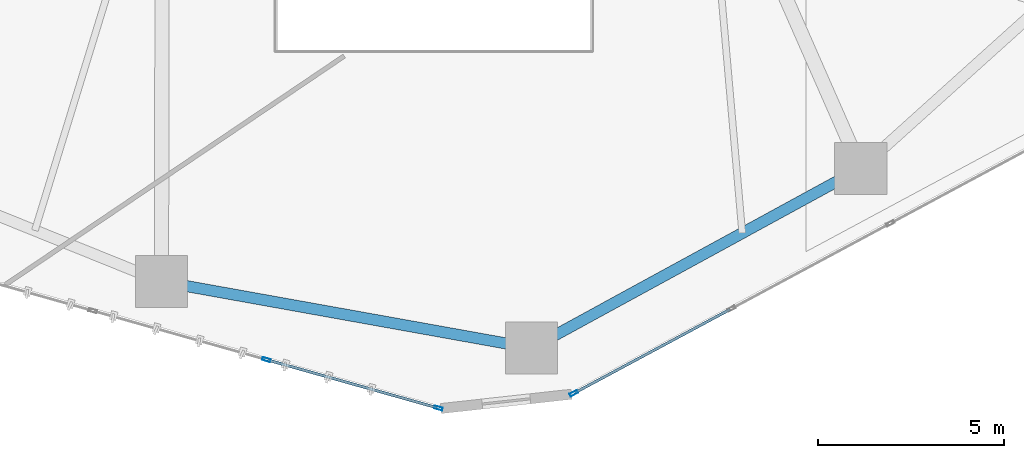
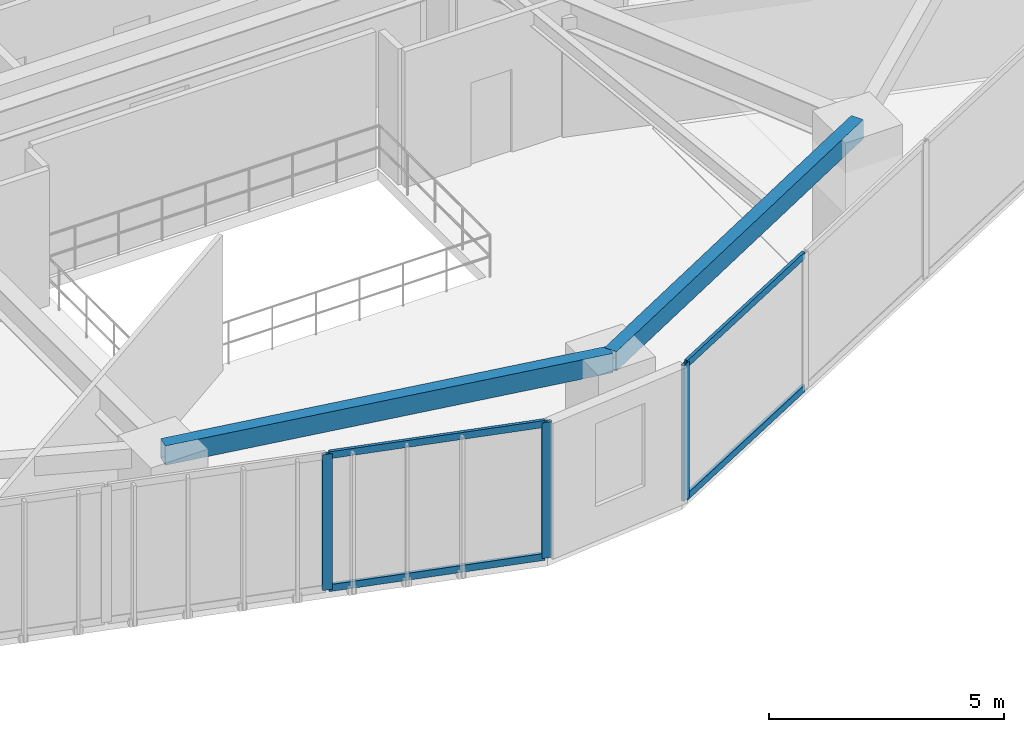
# One storey, part 5 of 24: 7 members, 2 beams, 2 elements without a shape of their own.
"""IFC4 building model written with IfcOpenShell, lengths in metres."""

from ifc_helpers import new_model, si_unit, direction, frame, origin, origin_2d, place, context, subcontext, project, spatial, hollow_rectangle, extrude, source, transform, mapped, material, layer, layer_set, material_profile, profile_set, type_object, type_shapes, element, aggregate, save


model = new_model("IFC4")

# Units and contexts
model_context = context("Model", 3, precision=1e-05, world=origin(), true_north=direction((0.0, 1.0)))
body_context = subcontext(model_context, "Body", "Model", "MODEL_VIEW")
ifc_project = project(units=[si_unit("LENGTHUNIT", "METRE"), si_unit("AREAUNIT", "SQUARE_METRE"), si_unit("VOLUMEUNIT", "CUBIC_METRE"), si_unit("PLANEANGLEUNIT", "RADIAN"), si_unit("MASSUNIT", "GRAM", prefix="KILO")], contexts=[model_context])

# Site, building, storey
site_placement = place(None, origin())
site = spatial("IfcSite", under=ifc_project, at=site_placement, CompositionType="ELEMENT")
building_placement = place(site_placement, origin())
building = spatial("IfcBuilding", under=site, at=building_placement, Name="Talar Marvaseh", CompositionType="ELEMENT")
storey_placement = place(building_placement, frame((0.0, 0.0, 43.0)))
storey = spatial("IfcBuildingStorey", under=building, at=storey_placement, Name="L10", CompositionType="ELEMENT", Elevation=43.0)

# Beams
ifc_material_1 = material(Name="Steel S355", Category="steel")
ifc_material_profile_1 = material_profile(ifc_material_1, hollow_rectangle(XDim=0.300048828125, YDim=0.5, WallThickness=0.02001953125, at=origin_2d()), Name="RHS500x300x20")
ifc_profile_set_1 = profile_set([ifc_material_profile_1], Name="Steel S355")
beam_type = type_object("IfcBeamType", Name="Zone 1 Perimeter Spandrel Beam RHS500x300x20", PredefinedType="SPANDREL", material=ifc_profile_set_1)
beam_1_placement = place(storey_placement, frame((37.468017578125, 16.02099609375, 3.27001953125), z_axis=(-0.877792749602, -0.47904059196, 0.0), x_axis=(0.47904059196, -0.877792749602, 0.0)))
element("IfcBeam", 1, at=beam_1_placement, inside=storey, type_object=beam_type, Name="L10 Zone 1 Perimeter Spandrel Beam RHS500x300x20", PredefinedType="SPANDREL", context=body_context, shape_type="SweptSolid", body=[
    extrude(hollow_rectangle(XDim=0.300048828125, YDim=0.5, WallThickness=0.02001953125, at=origin_2d()), origin(), (0.0, 0.0, 1.0), 10.07421875),
])
beam_2_placement = place(storey_placement, frame((28.625, 11.195068359375, 3.27001953125), z_axis=(-0.984279934962, 0.176615428632, 0.0), x_axis=(-0.176615428632, -0.984279934962, 0.0)))
element("IfcBeam", 2, at=beam_2_placement, inside=storey, type_object=beam_type, Name="L10 Zone 1 Perimeter Spandrel Beam RHS500x300x20", PredefinedType="SPANDREL", context=body_context, shape_type="SweptSolid", body=[
    extrude(hollow_rectangle(XDim=0.300048828125, YDim=0.5, WallThickness=0.02001953125, at=origin_2d()), origin(), (0.0, 0.0, 1.0), 10.1005859375),
])

# Curtain wall, member
ifc_material_2 = material(Name="Architectural Aluminium", Category="aluminium")
ifc_layer = layer(ifc_material_2, 0.219970703125)
ifc_layer_set = layer_set([ifc_layer], Name="Architectural Aluminium")
curtain_wall_type = type_object("IfcCurtainWallType", Name="Unitised Low-E Museum Curtain Wall Z1", PredefinedType="NOTDEFINED", material=ifc_layer_set)
curtain_wall_1_placement = place(storey_placement, origin())
curtain_wall_1 = element("IfcCurtainWall", 3, at=curtain_wall_1_placement, inside=storey, type_object=curtain_wall_type, Name="L10 Unitised Low-E Museum Curtain Wall Z1", PredefinedType="NOTDEFINED")
ifc_material_profile_2 = material_profile(ifc_material_2, hollow_rectangle(XDim=0.080078125, YDim=0.219970703125, WallThickness=0.0048828125, at=origin_2d()), Name="RHS220x80x5")
ifc_profile_set_2 = profile_set([ifc_material_profile_2], Name="Architectural Aluminium")
member_type_1 = type_object("IfcMemberType", Name="Unitised Curtain Wall Heavy Mullion RHS220x80x5", PredefinedType="MULLION", material=ifc_profile_set_2)
shared_shape_1 = source(origin(), body_context, "Body", "SweptSolid", [
    extrude(hollow_rectangle(XDim=0.080078125, YDim=0.219970703125, WallThickness=0.0048828125, at=origin_2d()), origin(), (0.0, 0.0, 1.0), 3.52001953125),
])
type_shapes(member_type_1, [shared_shape_1])
member_1_placement = place(storey_placement, frame((29.75732421875, 9.978271484375, 0.0), z_axis=(0.0, 0.0, 1.0), x_axis=(0.473185134207, -0.880963012144, 0.0)))
member_1 = element("IfcMember", 4, at=member_1_placement, type_object=member_type_1, Name="CW-Z1 mullion 6", PredefinedType="MULLION", context=body_context, shape_type="MappedRepresentation", body=[
    mapped(shared_shape_1, transform((0.0, 0.0, 0.0), x_axis=(1.0, 0.0, 0.0), y_axis=(0.0, 1.0, 0.0), z_axis=(0.0, 0.0, 1.0), scale=1.0)),
])

# Curtain wall, members
curtain_wall_2_placement = place(storey_placement, origin())
curtain_wall_2 = element("IfcCurtainWall", 5, at=curtain_wall_2_placement, inside=storey, type_object=curtain_wall_type, Name="L10 Unitised Low-E Museum Curtain Wall Z1", PredefinedType="NOTDEFINED")
member_2_placement = place(storey_placement, frame((26.1240234375, 9.580322265625, 0.0), z_axis=(0.0, 0.0, 1.0), x_axis=(-0.271291926399, -0.962497112032, 0.0)))
member_2 = element("IfcMember", 6, at=member_2_placement, type_object=member_type_1, Name="CW-Z1 mullion 1", PredefinedType="MULLION", context=body_context, shape_type="MappedRepresentation", body=[
    mapped(shared_shape_1, transform((0.0, 0.0, 0.0), x_axis=(1.0, 0.0, 0.0), y_axis=(0.0, 1.0, 0.0), z_axis=(0.0, 0.0, 1.0), scale=1.0)),
])
member_3_placement = place(storey_placement, frame((21.498779296875, 10.884033203125, 0.0), z_axis=(0.0, 0.0, 1.0), x_axis=(-0.271291926399, -0.962497112032, 0.0)))
member_3 = element("IfcMember", 7, at=member_3_placement, type_object=member_type_1, Name="CW-Z1 mullion 2", PredefinedType="MULLION", context=body_context, shape_type="MappedRepresentation", body=[
    mapped(shared_shape_1, transform((0.0, 0.0, 0.0), x_axis=(1.0, 0.0, 0.0), y_axis=(0.0, 1.0, 0.0), z_axis=(0.0, 0.0, 1.0), scale=1.0)),
])

# Member
ifc_material_profile_3 = material_profile(ifc_material_2, hollow_rectangle(XDim=0.074951171875, YDim=0.179931640625, WallThickness=0.0048828125, at=origin_2d()), Name="RHS180x75x5")
ifc_profile_set_3 = profile_set([ifc_material_profile_3], Name="Architectural Aluminium")
member_type_2 = type_object("IfcMemberType", Name="Unitised Curtain Wall Transom RHS180x75x5", PredefinedType="USERDEFINED", material=ifc_profile_set_3)
shared_shape_2 = source(origin(), body_context, "Body", "SweptSolid", [
    extrude(hollow_rectangle(XDim=0.074951171875, YDim=0.179931640625, WallThickness=0.0048828125, at=origin_2d()), origin(), (0.0, 0.0, 1.0), 4.725341796875),
])
type_shapes(member_type_2, [shared_shape_2])
member_4_placement = place(storey_placement, frame((33.95556640625, 12.233154296875, 0.03759765625), z_axis=(-0.88095175373, -0.473206094212, 0.0), x_axis=(0.473206094212, -0.88095175373, 0.0)))
member_4 = element("IfcMember", 8, at=member_4_placement, type_object=member_type_2, Name="CW-Z1 transom 5.1", ObjectType="TRANSOM", PredefinedType="USERDEFINED", context=body_context, shape_type="MappedRepresentation", body=[
    mapped(shared_shape_2, transform((0.0, 0.0, 0.0), x_axis=(1.0, 0.0, 0.0), y_axis=(0.0, 1.0, 0.0), z_axis=(0.0, 0.0, 1.0), scale=1.0)),
])

member_5_placement = place(storey_placement, frame((33.95556640625, 12.233154296875, 3.482421875), z_axis=(-0.88095175373, -0.473206094212, 0.0), x_axis=(0.473206094212, -0.88095175373, 0.0)))
member_5 = element("IfcMember", 9, at=member_5_placement, type_object=member_type_2, Name="CW-Z1 transom 5.2", ObjectType="TRANSOM", PredefinedType="USERDEFINED", context=body_context, shape_type="MappedRepresentation", body=[
    mapped(shared_shape_2, transform((0.0, 0.0, 0.0), x_axis=(1.0, 0.0, 0.0), y_axis=(0.0, 1.0, 0.0), z_axis=(0.0, 0.0, 1.0), scale=1.0)),
])

aggregate(curtain_wall_1, [member_1, member_4, member_5])

member_6_placement = place(storey_placement, frame((26.08544921875, 9.59130859375, 0.03759765625), z_axis=(-0.96250814896, 0.271252766227, 0.0), x_axis=(-0.271252766227, -0.96250814896, 0.0)))
member_6 = element("IfcMember", 10, at=member_6_placement, type_object=member_type_2, Name="CW-Z1 transom 1.1", ObjectType="TRANSOM", PredefinedType="USERDEFINED", context=body_context, shape_type="MappedRepresentation", body=[
    mapped(shared_shape_2, transform((0.0, 0.0, 0.0), x_axis=(1.0, 0.0, 0.0), y_axis=(0.0, 1.0, 0.0), z_axis=(0.0, 0.0, 1.0), scale=1.0)),
])

member_7_placement = place(storey_placement, frame((26.08544921875, 9.59130859375, 3.482421875), z_axis=(-0.96250814896, 0.271252766227, 0.0), x_axis=(-0.271252766227, -0.96250814896, 0.0)))
member_7 = element("IfcMember", 11, at=member_7_placement, type_object=member_type_2, Name="CW-Z1 transom 1.2", ObjectType="TRANSOM", PredefinedType="USERDEFINED", context=body_context, shape_type="MappedRepresentation", body=[
    mapped(shared_shape_2, transform((0.0, 0.0, 0.0), x_axis=(1.0, 0.0, 0.0), y_axis=(0.0, 1.0, 0.0), z_axis=(0.0, 0.0, 1.0), scale=1.0)),
])

aggregate(curtain_wall_2, [member_2, member_3, member_6, member_7])

save(model, "model.ifc")
